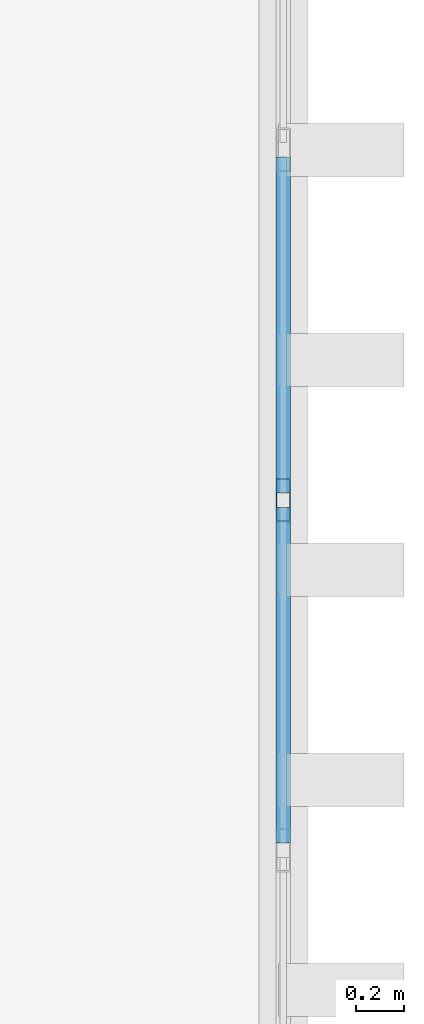
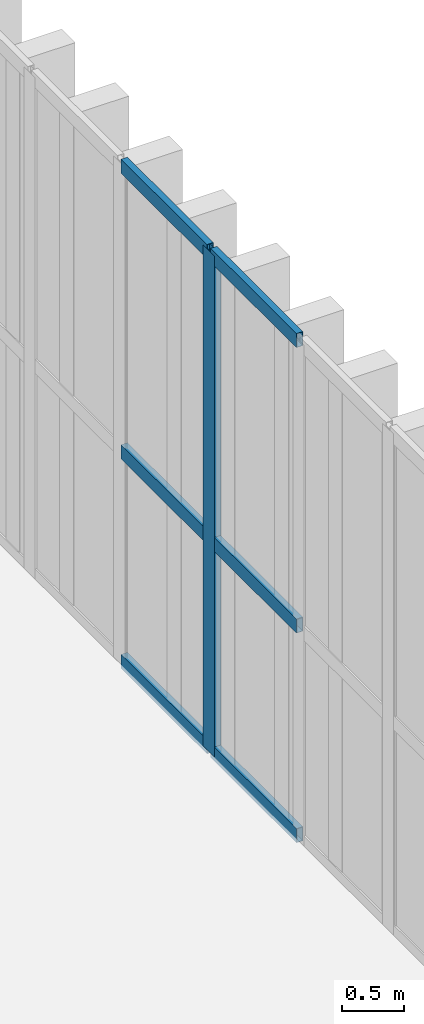
# One storey, part 133 of 211: 7 members, 1 element without a shape of its own.
"""IFC4 building model written with IfcOpenShell, lengths in metres."""

from ifc_helpers import new_model, si_unit, direction, frame, origin, origin_2d, place, context, subcontext, project, spatial, hollow_rectangle, extrude, material, layer, layer_set, material_profile, profile_set, type_object, element, aggregate, save


model = new_model("IFC4")

# Units and contexts
model_context = context("Model", 3, precision=1e-05, world=origin(), true_north=direction((0.0, 1.0)))
body_context = subcontext(model_context, "Body", "Model", "MODEL_VIEW")
ifc_project = project(units=[si_unit("LENGTHUNIT", "METRE"), si_unit("AREAUNIT", "SQUARE_METRE"), si_unit("VOLUMEUNIT", "CUBIC_METRE"), si_unit("PLANEANGLEUNIT", "RADIAN"), si_unit("MASSUNIT", "GRAM", prefix="KILO")], contexts=[model_context])

# Site, building, storey
site_placement = place(None, origin())
site = spatial("IfcSite", under=ifc_project, at=site_placement, CompositionType="ELEMENT")
building_placement = place(site_placement, origin())
building = spatial("IfcBuilding", under=site, at=building_placement, Name="Barlavento Convention Centre", CompositionType="ELEMENT")
storey_placement = place(building_placement, frame((0.0, 0.0, 6.0)))
storey = spatial("IfcBuildingStorey", under=building, at=storey_placement, Name="L01", CompositionType="ELEMENT", Elevation=6.0)

# Curtain wall, members
ifc_material_1 = material(Name="Powder-coated aluminium and Low-E glass", Category="aluminium")
ifc_layer = layer(ifc_material_1, 0.195068359375)
ifc_layer_set = layer_set([ifc_layer], Name="ARC-CW-FOY-L01")
curtain_wall_type = type_object("IfcCurtainWallType", Name="ARC-CW-FOY-L01", PredefinedType="NOTDEFINED", material=ifc_layer_set)
curtain_wall_placement = place(storey_placement, origin())
curtain_wall = element("IfcCurtainWall", 1, at=curtain_wall_placement, inside=storey, type_object=curtain_wall_type, Name="L01 unitised curtain wall CW03", PredefinedType="NOTDEFINED")
ifc_material_2 = material(Name="Powder-coated aluminium", Category="aluminium")
ifc_material_profile_1 = material_profile(ifc_material_2, hollow_rectangle(XDim=0.06005859375, YDim=0.179931640625, WallThickness=0.0048828125, at=origin_2d()), Name="AL-MULL 60x180x5")
ifc_profile_set_1 = profile_set([ifc_material_profile_1], Name="Powder-coated aluminium")
member_type_1 = type_object("IfcMemberType", Name="ARC-CWM-60X180", PredefinedType="MULLION", material=ifc_profile_set_1)
member_1_placement = place(storey_placement, frame((192.0, 124.52099609375, 0.0), z_axis=(0.0, 0.0, 1.0), x_axis=(-1.0, 0.0, 0.0)))
member_1 = element("IfcMember", 2, at=member_1_placement, type_object=member_type_1, Name="CW03 mullion 6", PredefinedType="MULLION", context=body_context, shape_type="SweptSolid", body=[
    extrude(hollow_rectangle(XDim=0.06005859375, YDim=0.179931640625, WallThickness=0.0048828125, at=origin_2d()), origin(), (0.0, 0.0, 1.0), 4.949951171875),
])
ifc_material_profile_2 = material_profile(ifc_material_2, hollow_rectangle(XDim=0.06005859375, YDim=0.139892578125, WallThickness=0.00390625, at=origin_2d()), Name="AL-TRAN 60x140x4")
ifc_profile_set_2 = profile_set([ifc_material_profile_2], Name="Powder-coated aluminium")
member_type_2 = type_object("IfcMemberType", Name="ARC-CWT-60X140", PredefinedType="USERDEFINED", material=ifc_profile_set_2)
member_2_placement = place(storey_placement, frame((192.0, 123.1015625, 0.030029296875), z_axis=(0.0, 1.0, 0.0), x_axis=(-1.0, 0.0, 0.0)))
member_2 = element("IfcMember", 3, at=member_2_placement, type_object=member_type_2, Name="CW03 transom 5.1", ObjectType="TRANSOM", PredefinedType="USERDEFINED", context=body_context, shape_type="SweptSolid", body=[
    extrude(hollow_rectangle(XDim=0.06005859375, YDim=0.139892578125, WallThickness=0.00390625, at=origin_2d()), origin(), (0.0, 0.0, 1.0), 1.389404296875),
])
member_3_placement = place(storey_placement, frame((192.0, 123.1015625, 2.10009765625), z_axis=(0.0, 1.0, 0.0), x_axis=(-1.0, 0.0, 0.0)))
member_3 = element("IfcMember", 4, at=member_3_placement, type_object=member_type_2, Name="CW03 transom 5.2", ObjectType="TRANSOM", PredefinedType="USERDEFINED", context=body_context, shape_type="SweptSolid", body=[
    extrude(hollow_rectangle(XDim=0.06005859375, YDim=0.139892578125, WallThickness=0.00390625, at=origin_2d()), origin(), (0.0, 0.0, 1.0), 1.389404296875),
])
member_4_placement = place(storey_placement, frame((192.0, 123.1015625, 4.919921875), z_axis=(0.0, 1.0, 0.0), x_axis=(-1.0, 0.0, 0.0)))
member_4 = element("IfcMember", 5, at=member_4_placement, type_object=member_type_2, Name="CW03 transom 5.3", ObjectType="TRANSOM", PredefinedType="USERDEFINED", context=body_context, shape_type="SweptSolid", body=[
    extrude(hollow_rectangle(XDim=0.06005859375, YDim=0.139892578125, WallThickness=0.00390625, at=origin_2d()), origin(), (0.0, 0.0, 1.0), 1.389404296875),
])
member_5_placement = place(storey_placement, frame((192.0, 124.551025390625, 0.030029296875), z_axis=(0.0, 1.0, 0.0), x_axis=(-1.0, 0.0, 0.0)))
member_5 = element("IfcMember", 6, at=member_5_placement, type_object=member_type_2, Name="CW03 transom 6.1", ObjectType="TRANSOM", PredefinedType="USERDEFINED", context=body_context, shape_type="SweptSolid", body=[
    extrude(hollow_rectangle(XDim=0.06005859375, YDim=0.139892578125, WallThickness=0.00390625, at=origin_2d()), origin(), (0.0, 0.0, 1.0), 1.3896484375),
])
member_6_placement = place(storey_placement, frame((192.0, 124.551025390625, 2.10009765625), z_axis=(0.0, 1.0, 0.0), x_axis=(-1.0, 0.0, 0.0)))
member_6 = element("IfcMember", 7, at=member_6_placement, type_object=member_type_2, Name="CW03 transom 6.2", ObjectType="TRANSOM", PredefinedType="USERDEFINED", context=body_context, shape_type="SweptSolid", body=[
    extrude(hollow_rectangle(XDim=0.06005859375, YDim=0.139892578125, WallThickness=0.00390625, at=origin_2d()), origin(), (0.0, 0.0, 1.0), 1.3896484375),
])
member_7_placement = place(storey_placement, frame((192.0, 124.551025390625, 4.919921875), z_axis=(0.0, 1.0, 0.0), x_axis=(-1.0, 0.0, 0.0)))
member_7 = element("IfcMember", 8, at=member_7_placement, type_object=member_type_2, Name="CW03 transom 6.3", ObjectType="TRANSOM", PredefinedType="USERDEFINED", context=body_context, shape_type="SweptSolid", body=[
    extrude(hollow_rectangle(XDim=0.06005859375, YDim=0.139892578125, WallThickness=0.00390625, at=origin_2d()), origin(), (0.0, 0.0, 1.0), 1.3896484375),
])
aggregate(curtain_wall, [member_1, member_2, member_3, member_4, member_5, member_6, member_7])

save(model, "model.ifc")
